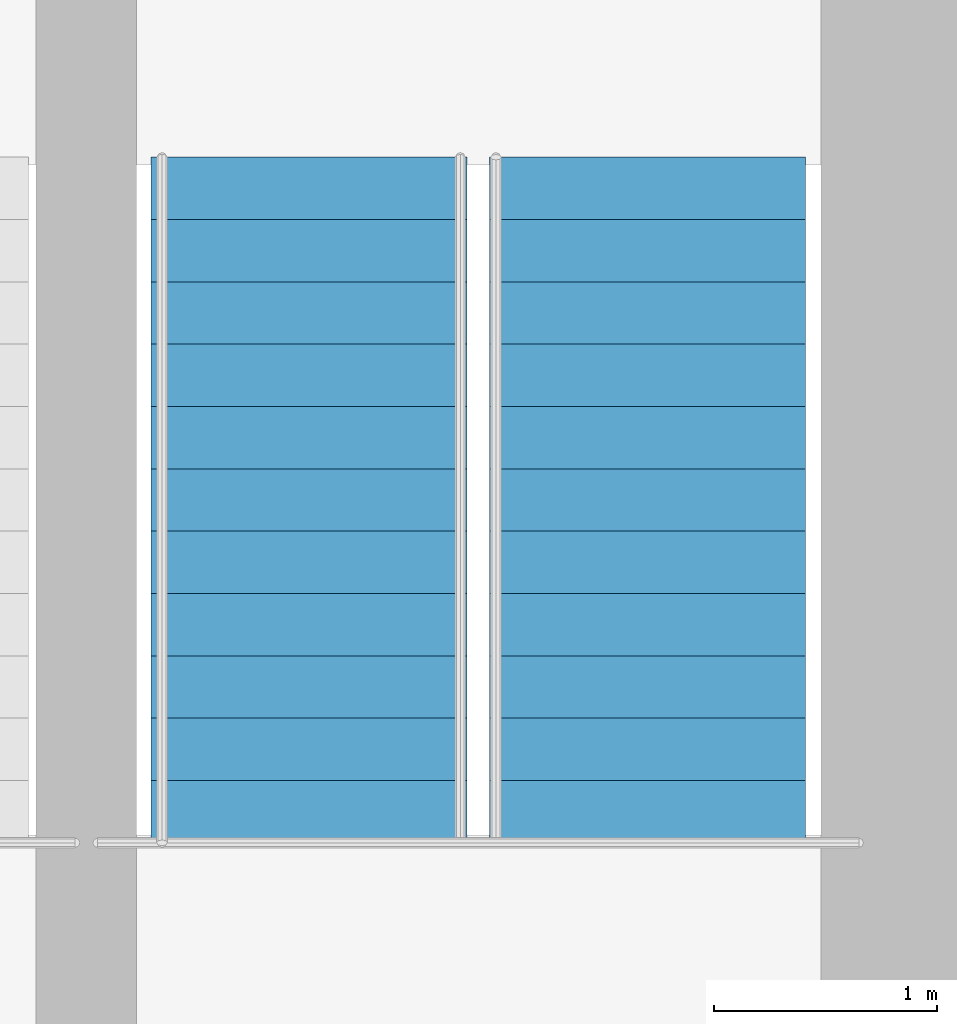
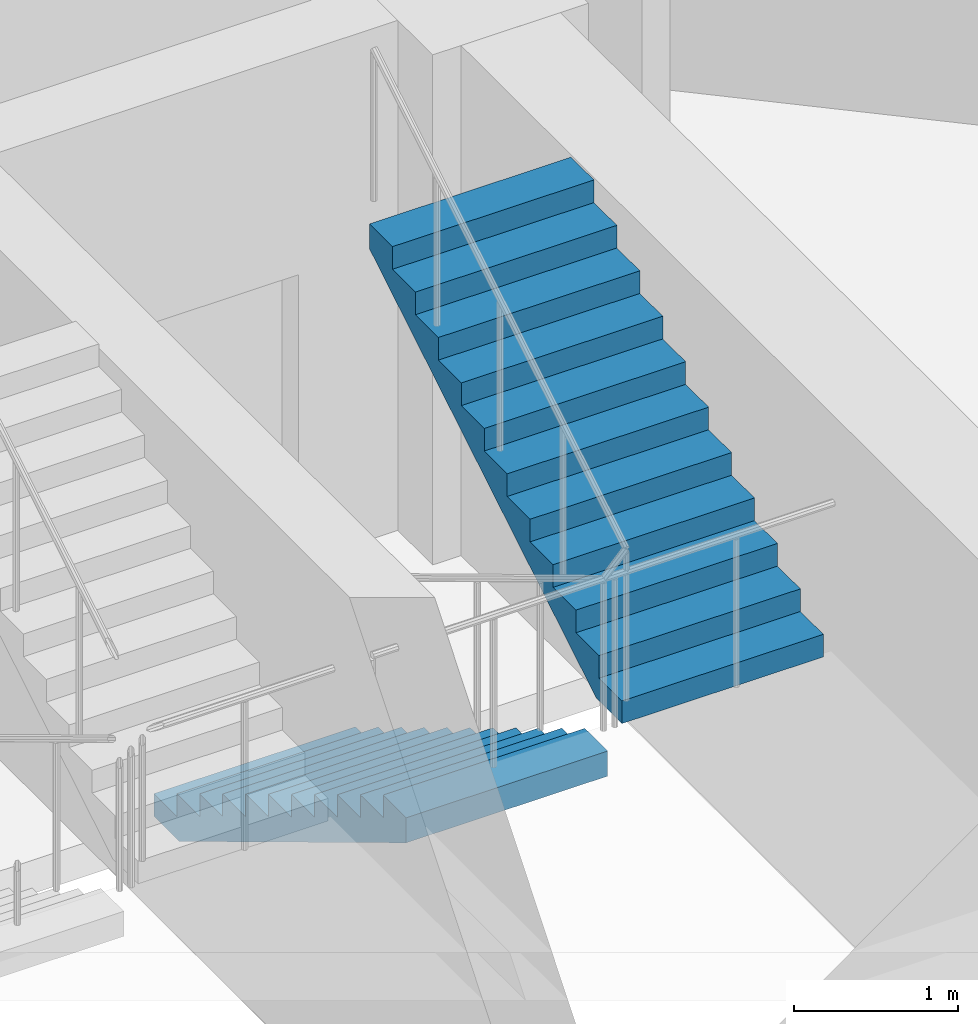
# One storey, part 25 of 26: 2 stair flights, 1 element without a shape of its own.
"""IFC4 building model written with IfcOpenShell, lengths in metres."""

from ifc_helpers import new_model, si_unit, direction, frame, origin, place, context, subcontext, project, spatial, polyline, outline, extrude, material, type_object, element, aggregate, save


model = new_model("IFC4")

# Units and contexts
model_context = context("Model", 3, precision=1e-05, world=origin(), true_north=direction((0.0, 1.0)))
body_context = subcontext(model_context, "Body", "Model", "MODEL_VIEW")
ifc_project = project(units=[si_unit("LENGTHUNIT", "METRE"), si_unit("AREAUNIT", "SQUARE_METRE"), si_unit("VOLUMEUNIT", "CUBIC_METRE"), si_unit("PLANEANGLEUNIT", "RADIAN"), si_unit("MASSUNIT", "GRAM", prefix="KILO")], contexts=[model_context])

# Site, building, storey
site_placement = place(None, origin())
site = spatial("IfcSite", under=ifc_project, at=site_placement, CompositionType="ELEMENT")
building_placement = place(site_placement, origin())
building = spatial("IfcBuilding", under=site, at=building_placement, Name="Nuhasar Tower", CompositionType="ELEMENT")
storey_placement = place(building_placement, frame((0.0, 0.0, 97.949951171875)))
storey = spatial("IfcBuildingStorey", under=building, at=storey_placement, Name="L23", CompositionType="ELEMENT", Elevation=97.949951171875)

# Stair, stair flights
ifc_material = material(Name="Concrete C45/55", Category="concrete")
stair_type = type_object("IfcStairType", Name="STR-ST-02-2F-24R-1688", PredefinedType="HALF_TURN_STAIR", material=ifc_material)
stair_placement = place(storey_placement, origin())
stair = element("IfcStair", 1, at=stair_placement, inside=storey, type_object=stair_type, Name="L23 Exit Stair ST-02", PredefinedType="HALF_TURN_STAIR")
stair_flight_type = type_object("IfcStairFlightType", Name="SFL-ST-02-12R-1688", PredefinedType="STRAIGHT", material=ifc_material)
stair_flight_1_placement = place(storey_placement, frame((41.64990234375, 35.284912109375, 0.0), z_axis=(0.0, 0.0, 1.0), x_axis=(0.0, -1.0, 0.0)))
stair_flight_1 = element("IfcStairFlight", 2, at=stair_flight_1_placement, type_object=stair_flight_type, Name="ST-02 flight 1", NumberOfRisers=12, NumberOfTreads=11, PredefinedType="STRAIGHT", RiserHeight=0.16875, TreadLength=0.28, context=body_context, shape_type="SweptSolid", body=[
    extrude(outline(polyline([(0.0, 0.0), (0.0, 0.168701171875), (0.280029296875, 0.168701171875), (0.280029296875, 0.33740234375), (0.56005859375, 0.33740234375), (0.56005859375, 0.50634765625), (0.840087890625, 0.50634765625), (0.840087890625, 0.675048828125), (1.1201171875, 0.675048828125), (1.1201171875, 0.84375), (1.39990234375, 0.84375), (1.39990234375, 1.012451171875), (1.679931640625, 1.012451171875), (1.679931640625, 1.18115234375), (1.9599609375, 1.18115234375), (1.9599609375, 1.35009765625), (2.239990234375, 1.35009765625), (2.239990234375, 1.518798828125), (2.52001953125, 1.518798828125), (2.52001953125, 1.6875), (2.800048828125, 1.6875), (2.800048828125, 1.856201171875), (3.080078125, 1.856201171875), (3.080078125, 2.02490234375), (3.080078125, 1.66943359375), (0.309814453125, 0.0), (0.0, 0.0)])), frame((0.0, 0.7099609375, 0.0), z_axis=(0.0, -1.0, 0.0), x_axis=(1.0, 0.0, 0.0)), (0.0, 0.0, 1.0), 1.419921875),
])
stair_flight_2_placement = place(storey_placement, frame((43.169921875, 32.205078125, 2.025146484375), z_axis=(0.0, 0.0, 1.0), x_axis=(0.0, 1.0, 0.0)))
stair_flight_2 = element("IfcStairFlight", 3, at=stair_flight_2_placement, type_object=stair_flight_type, Name="ST-02 flight 2", NumberOfRisers=12, NumberOfTreads=11, PredefinedType="STRAIGHT", RiserHeight=0.16875, TreadLength=0.28, context=body_context, shape_type="SweptSolid", body=[
    extrude(outline(polyline([(0.0, 0.0), (0.0, 0.168701171875), (0.280029296875, 0.168701171875), (0.280029296875, 0.33740234375), (0.56005859375, 0.33740234375), (0.56005859375, 0.50634765625), (0.840087890625, 0.50634765625), (0.840087890625, 0.675048828125), (1.1201171875, 0.675048828125), (1.1201171875, 0.84375), (1.39990234375, 0.84375), (1.39990234375, 1.012451171875), (1.679931640625, 1.012451171875), (1.679931640625, 1.18115234375), (1.9599609375, 1.18115234375), (1.9599609375, 1.35009765625), (2.239990234375, 1.35009765625), (2.239990234375, 1.518798828125), (2.52001953125, 1.518798828125), (2.52001953125, 1.6875), (2.800048828125, 1.6875), (2.800048828125, 1.856201171875), (3.080078125, 1.856201171875), (3.080078125, 2.02490234375), (3.080078125, 1.66943359375), (0.309814453125, 0.0), (0.0, 0.0)])), frame((0.0, 0.7099609375, 0.0), z_axis=(0.0, -1.0, 0.0), x_axis=(1.0, 0.0, 0.0)), (0.0, 0.0, 1.0), 1.419921875),
])
aggregate(stair, [stair_flight_1, stair_flight_2])

save(model, "model.ifc")
